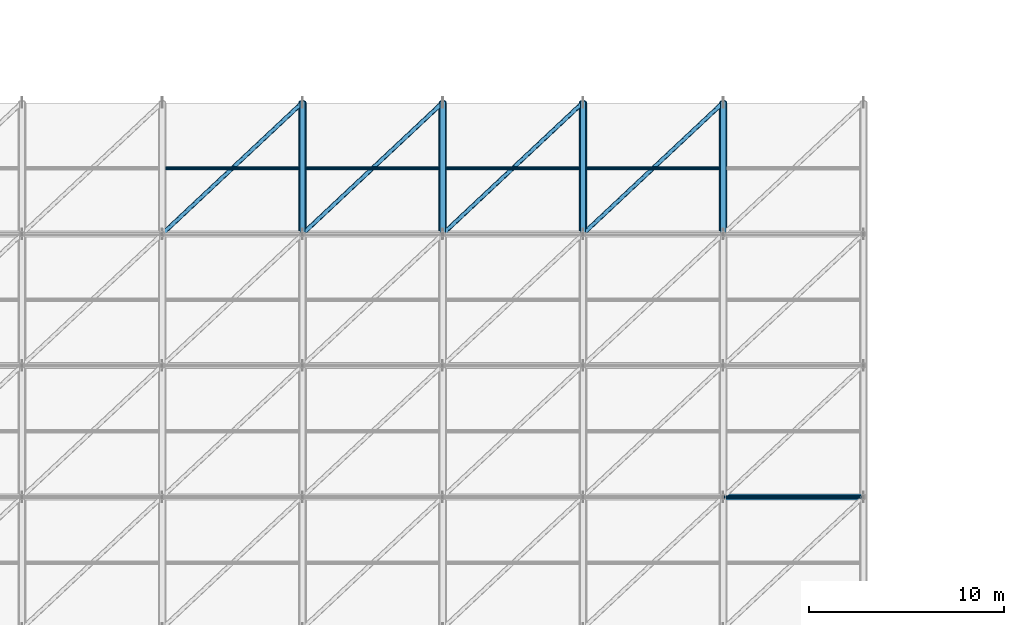
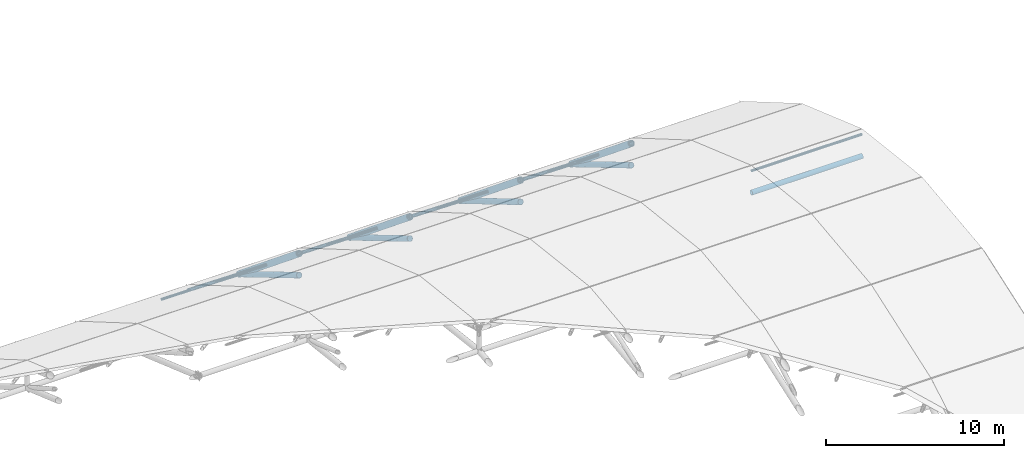
# One storey, part 12 of 72: 18 members, 4 beams.
"""IFC4 building model written with IfcOpenShell, lengths in metres."""

from ifc_helpers import new_model, si_unit, direction, frame, origin, origin_2d, place, context, subcontext, project, spatial, hollow_circle, extrude, material, material_profile, profile_set, type_object, element, save


model = new_model("IFC4")

# Units and contexts
model_context = context("Model", 3, precision=1e-05, world=origin(), true_north=direction((0.0, 1.0)))
body_context = subcontext(model_context, "Body", "Model", "MODEL_VIEW")
ifc_project = project(units=[si_unit("LENGTHUNIT", "METRE"), si_unit("AREAUNIT", "SQUARE_METRE"), si_unit("VOLUMEUNIT", "CUBIC_METRE"), si_unit("PLANEANGLEUNIT", "RADIAN"), si_unit("MASSUNIT", "GRAM", prefix="KILO")], contexts=[model_context])

# Site, building, storey
site_placement = place(None, origin())
site = spatial("IfcSite", under=ifc_project, at=site_placement, CompositionType="ELEMENT")
building_placement = place(site_placement, origin())
building = spatial("IfcBuilding", under=site, at=building_placement, Name="Vaelcorin Mobility Hub", CompositionType="ELEMENT")
storey_placement = place(building_placement, frame((0.0, 0.0, 25.800048828125)))
storey = spatial("IfcBuildingStorey", under=building, at=storey_placement, Name="RF", CompositionType="ELEMENT", Elevation=25.800048828125)

# Members
ifc_material = material(Name="Steel ASTM A500 Grade C", Category="steel")
ifc_material_profile_1 = material_profile(ifc_material, hollow_circle(Radius=0.161865234375, WallThickness=0.0126953125, at=origin_2d()), Name="HSS12.750X0.500")
ifc_profile_set_1 = profile_set([ifc_material_profile_1], Name="Steel ASTM A500 Grade C")
member_type_1 = type_object("IfcMemberType", Name="SF-CHORD-12", PredefinedType="CHORD", material=ifc_profile_set_1)
member_1_placement = place(storey_placement, frame((100.800048828125, 39.75, -9.488037109375), z_axis=(1.0, 0.0, 0.0), x_axis=(0.0, 1.0, 0.0)))
element("IfcMember", 1, at=member_1_placement, inside=storey, type_object=member_type_1, Name="Space Frame Lower Longitudinal Chord 10-5", PredefinedType="CHORD", context=body_context, shape_type="SweptSolid", body=[
    extrude(hollow_circle(Radius=0.161865234375, WallThickness=0.0126953125, at=origin_2d()), origin(), (0.0, 0.0, 1.0), 7.199951171875),
])
ifc_material_profile_2 = material_profile(ifc_material, hollow_circle(Radius=0.177734375, WallThickness=0.0126953125, at=origin_2d()), Name="HSS14.000X0.500")
ifc_profile_set_2 = profile_set([ifc_material_profile_2], Name="Steel ASTM A500 Grade C")
member_type_2 = type_object("IfcMemberType", Name="SF-CHORD-14", PredefinedType="CHORD", material=ifc_profile_set_2)
for number, where, z_axis, x_axis, name in (
    (2, (79.199951171875, 53.25, -15.7880859375), (0.0, 0.859622623593, -0.510929491229), (-1.0, 0.0, 0.0), "Space Frame Roof Truss Lower Chord 7-8"),
    (3, (86.39990234375, 53.25, -15.7880859375), (0.0, 0.859622623593, -0.510929491229), (-1.0, 0.0, 0.0), "Space Frame Roof Truss Lower Chord 8-8"),
    (4, (93.60009765625, 53.25, -15.7880859375), (0.0, 0.859622623593, -0.510929491229), (-1.0, 0.0, 0.0), "Space Frame Roof Truss Lower Chord 9-8"),
    (5, (100.800048828125, 53.25, -15.7880859375), (0.0, 0.859622623593, -0.510929491229), (-1.0, 0.0, 0.0), "Space Frame Roof Truss Lower Chord 10-8"),
):
    element("IfcMember", number, at=place(storey_placement, frame(where, z_axis=z_axis, x_axis=x_axis)), inside=storey, type_object=member_type_2, Name=name, PredefinedType="CHORD", context=body_context, shape_type="SweptSolid", body=[
        extrude(hollow_circle(Radius=0.177734375, WallThickness=0.0126953125, at=origin_2d()), origin(), (0.0, 0.0, 1.0), 7.852294921875),
    ])
ifc_material_profile_3 = material_profile(ifc_material, hollow_circle(Radius=0.136474609375, WallThickness=0.0126953125, at=origin_2d()), Name="HSS10.750X0.500")
ifc_profile_set_3 = profile_set([ifc_material_profile_3], Name="Steel ASTM A500 Grade C")
member_type_3 = type_object("IfcMemberType", Name="SF-DIAG-10", PredefinedType="BRACE", material=ifc_profile_set_3)
for number, where, z_axis, x_axis, name in (
    (6, (79.199951171875, 53.25, -14.2880859375), (0.0, 0.774562321982, -0.632497596332), (-1.0, 0.0, 0.0), "Space Frame Roof Truss Web Diagonal 7-8"),
    (7, (86.39990234375, 53.25, -14.2880859375), (0.0, 0.774562321982, -0.632497596332), (-1.0, 0.0, 0.0), "Space Frame Roof Truss Web Diagonal 8-8"),
    (8, (93.60009765625, 53.25, -14.2880859375), (0.0, 0.774562321982, -0.632497596332), (-1.0, 0.0, 0.0), "Space Frame Roof Truss Web Diagonal 9-8"),
    (9, (100.800048828125, 53.25, -14.2880859375), (0.0, 0.774562321982, -0.632497596332), (-1.0, 0.0, 0.0), "Space Frame Roof Truss Web Diagonal 10-8"),
):
    element("IfcMember", number, at=place(storey_placement, frame(where, z_axis=z_axis, x_axis=x_axis)), inside=storey, type_object=member_type_3, Name=name, PredefinedType="BRACE", context=body_context, shape_type="SweptSolid", body=[
        extrude(hollow_circle(Radius=0.136474609375, WallThickness=0.0126953125, at=origin_2d()), origin(), (0.0, 0.0, 1.0), 8.714599609375),
    ])
ifc_material_profile_4 = material_profile(ifc_material, hollow_circle(Radius=0.109619140625, WallThickness=0.009521484375, at=origin_2d()), Name="HSS8.625X0.375")
ifc_profile_set_4 = profile_set([ifc_material_profile_4], Name="Steel ASTM A500 Grade C")
member_type_4 = type_object("IfcMemberType", Name="SF-DIAG-8", PredefinedType="BRACE", material=ifc_profile_set_4)
for number, where, z_axis, x_axis, name in (
    (10, (72.0, 53.25, -14.2880859375), (0.636930590236, 0.59712647787, -0.487605775856), (-0.683943597489, 0.729534889813, 0.0), "Space Frame Bracing Diagonal 6-8"),
    (11, (79.199951171875, 53.25, -14.2880859375), (0.636930590236, 0.59712647787, -0.487605775856), (-0.683943597489, 0.729534889813, 0.0), "Space Frame Bracing Diagonal 7-8"),
    (12, (86.39990234375, 53.25, -14.2880859375), (0.636943425759, 0.59711826378, -0.487599068336), (-0.683931254551, 0.729546461199, 0.0), "Space Frame Bracing Diagonal 8-8"),
    (13, (93.60009765625, 53.25, -14.2880859375), (0.636930590236, 0.59712647787, -0.487605775856), (-0.683943597489, 0.729534889813, 0.0), "Space Frame Bracing Diagonal 9-8"),
):
    element("IfcMember", number, at=place(storey_placement, frame(where, z_axis=z_axis, x_axis=x_axis)), inside=storey, type_object=member_type_4, Name=name, PredefinedType="BRACE", context=body_context, shape_type="SweptSolid", body=[
        extrude(hollow_circle(Radius=0.109619140625, WallThickness=0.009521484375, at=origin_2d()), origin(), (0.0, 0.0, 1.0), 11.30419921875),
    ])
ifc_material_profile_5 = material_profile(ifc_material, hollow_circle(Radius=0.084228515625, WallThickness=0.0078125, at=origin_2d()), Name="HSS6.625X0.312")
ifc_profile_set_5 = profile_set([ifc_material_profile_5], Name="Steel ASTM A500 Grade C")
member_type_5 = type_object("IfcMemberType", Name="SF-PURL-6", PredefinedType="PURLIN", material=ifc_profile_set_5)
for number, where, z_axis, x_axis, name in (
    (14, (72.179931640625, 56.625, -17.0439453125), (1.0, 0.0, 0.0), (0.0, 1.0, 0.0), "Space Frame Secondary Purlin 6-8"),
    (15, (79.3798828125, 56.625, -17.0439453125), (1.0, 0.0, 0.0), (0.0, 1.0, 0.0), "Space Frame Secondary Purlin 7-8"),
):
    element("IfcMember", number, at=place(storey_placement, frame(where, z_axis=z_axis, x_axis=x_axis)), inside=storey, type_object=member_type_5, Name=name, PredefinedType="PURLIN", context=body_context, shape_type="SweptSolid", body=[
        extrude(hollow_circle(Radius=0.084228515625, WallThickness=0.0078125, at=origin_2d()), origin(), (0.0, 0.0, 1.0), 6.840087890625),
    ])
member_2_placement = place(storey_placement, frame((86.580078125, 56.625, -17.0439453125), z_axis=(1.0, 0.0, 0.0), x_axis=(0.0, 1.0, 0.0)))
element("IfcMember", 16, at=member_2_placement, inside=storey, type_object=member_type_5, Name="Space Frame Secondary Purlin 8-8", PredefinedType="PURLIN", context=body_context, shape_type="SweptSolid", body=[
    extrude(hollow_circle(Radius=0.084228515625, WallThickness=0.0078125, at=origin_2d()), origin(), (0.0, 0.0, 1.0), 6.83984375),
])
member_3_placement = place(storey_placement, frame((93.780029296875, 56.625, -17.0439453125), z_axis=(1.0, 0.0, 0.0), x_axis=(0.0, 1.0, 0.0)))
element("IfcMember", 17, at=member_3_placement, inside=storey, type_object=member_type_5, Name="Space Frame Secondary Purlin 9-8", PredefinedType="PURLIN", context=body_context, shape_type="SweptSolid", body=[
    extrude(hollow_circle(Radius=0.084228515625, WallThickness=0.0078125, at=origin_2d()), origin(), (0.0, 0.0, 1.0), 6.840087890625),
])
member_4_placement = place(storey_placement, frame((100.800048828125, 39.75, -7.988037109375), z_axis=(1.0, 0.0, 0.0), x_axis=(0.0, 1.0, 0.0)))
element("IfcMember", 18, at=member_4_placement, inside=storey, type_object=member_type_5, Name="Space Frame Longitudinal Chord 10-5", PredefinedType="PURLIN", context=body_context, shape_type="SweptSolid", body=[
    extrude(hollow_circle(Radius=0.084228515625, WallThickness=0.0078125, at=origin_2d()), origin(), (0.0, 0.0, 1.0), 7.199951171875),
])

# Beams
ifc_material_profile_6 = material_profile(ifc_material, hollow_circle(Radius=0.203125, WallThickness=0.015869140625, at=origin_2d()), Name="HSS16.000X0.625")
ifc_profile_set_6 = profile_set([ifc_material_profile_6], Name="Steel ASTM A500 Grade C")
beam_type = type_object("IfcBeamType", Name="TR-CHORD-16", PredefinedType="BEAM", material=ifc_profile_set_6)
for number, where, z_axis, x_axis, name in (
    (19, (79.199951171875, 53.25, -14.2880859375), (0.0, 0.774562321982, -0.632497596332), (-1.0, 0.0, 0.0), "Space Frame Roof Truss Upper Chord 7-8"),
    (20, (86.39990234375, 53.25, -14.2880859375), (0.0, 0.774562321982, -0.632497596332), (-1.0, 0.0, 0.0), "Space Frame Roof Truss Upper Chord 8-8"),
    (21, (93.60009765625, 53.25, -14.2880859375), (0.0, 0.774562321982, -0.632497596332), (-1.0, 0.0, 0.0), "Space Frame Roof Truss Upper Chord 9-8"),
    (22, (100.800048828125, 53.25, -14.2880859375), (0.0, 0.774562321982, -0.632497596332), (-1.0, 0.0, 0.0), "Space Frame Roof Truss Upper Chord 10-8"),
):
    element("IfcBeam", number, at=place(storey_placement, frame(where, z_axis=z_axis, x_axis=x_axis)), inside=storey, type_object=beam_type, Name=name, PredefinedType="BEAM", context=body_context, shape_type="SweptSolid", body=[
        extrude(hollow_circle(Radius=0.203125, WallThickness=0.015869140625, at=origin_2d()), origin(), (0.0, 0.0, 1.0), 8.714599609375),
    ])

save(model, "model.ifc")
